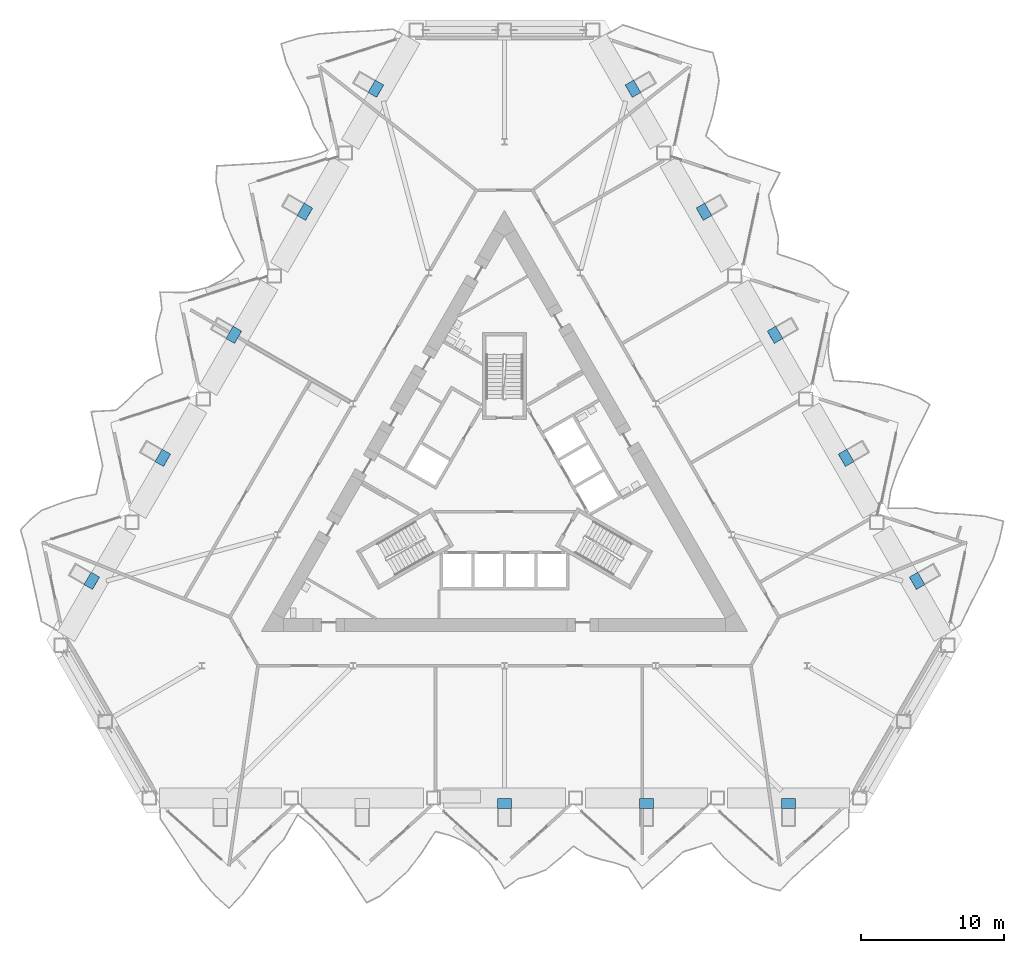
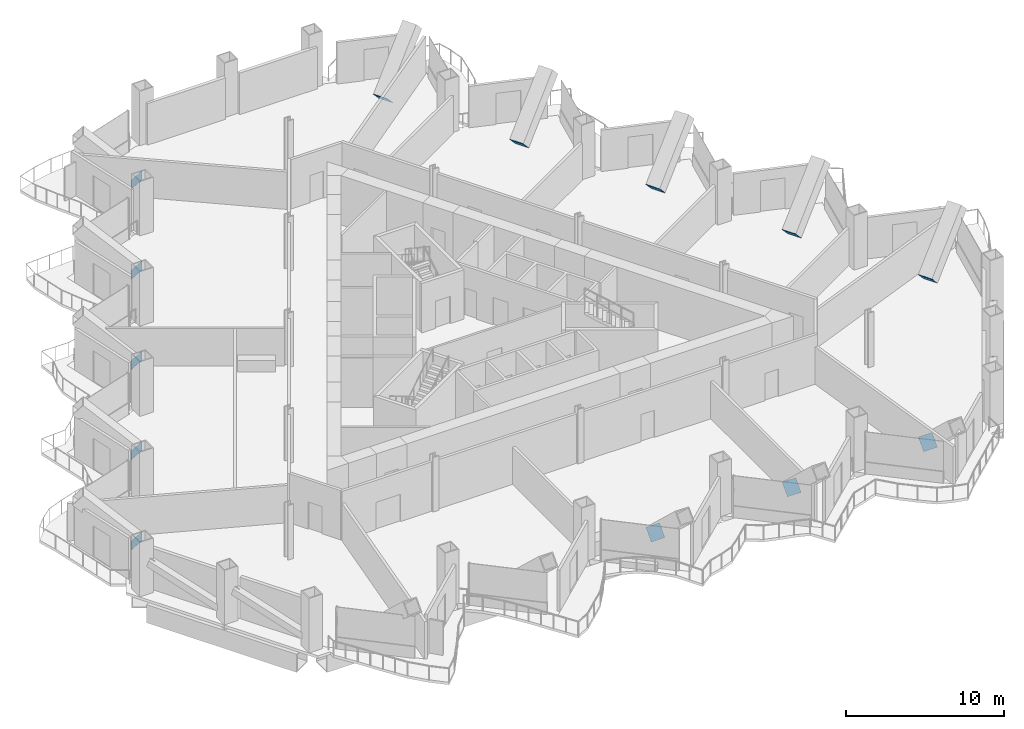
# One storey, part 13 of 22: 13 discrete accessories.
"""IFC4 building model written with IfcOpenShell, lengths in metres."""

from ifc_helpers import new_model, si_unit, direction, frame, origin, place, context, subcontext, project, spatial, polyline, outline, extrude, material, layer, layer_set, type_object, element, save


model = new_model("IFC4")

# Units and contexts
model_context = context("Model", 3, precision=1e-05, world=origin(), true_north=direction((0.0, 1.0)))
body_context = subcontext(model_context, "Body", "Model", "MODEL_VIEW")
ifc_project = project(units=[si_unit("LENGTHUNIT", "METRE"), si_unit("AREAUNIT", "SQUARE_METRE"), si_unit("VOLUMEUNIT", "CUBIC_METRE"), si_unit("PLANEANGLEUNIT", "RADIAN"), si_unit("MASSUNIT", "GRAM", prefix="KILO")], contexts=[model_context])

# Site, building, storey
site_placement = place(None, origin())
site = spatial("IfcSite", under=ifc_project, at=site_placement, CompositionType="ELEMENT")
building_placement = place(site_placement, origin())
building = spatial("IfcBuilding", under=site, at=building_placement, Name="Cormorant Prow Tower", CompositionType="ELEMENT")
storey_placement = place(building_placement, frame((0.0, 0.0, 30.0)))
storey = spatial("IfcBuildingStorey", under=building, at=storey_placement, Name="L05", CompositionType="ELEMENT", Elevation=30.0)

# Discrete accessories
ifc_material = material(Name="Structural steel ASTM A572 Gr 50", Category="steel")
ifc_layer = layer(ifc_material, 0.008056640625)
ifc_layer_set = layer_set([ifc_layer], Name="Structural steel ASTM A572 Gr 50")
discrete_accessory_type = type_object("IfcDiscreteAccessoryType", Name="Column foot bearing plate 1000x1000x8", PredefinedType="BRACKET", material=ifc_layer_set)
for number, where, z_axis, x_axis, name in (
    (1, (0.5, -21.505615234375, 0.72900390625), (0.0, -0.728973578633, 0.684541833385), (-1.0, 0.0, 0.0), "Bearing plate under Perimeter column C2 at S05 L05"),
    (2, (10.43212890625, -21.505615234375, 0.72900390625), (0.0, -0.728973578633, 0.684541833385), (-1.0, 0.0, 0.0), "Bearing plate under Perimeter column C2 at S07 L05"),
    (3, (20.3642578125, -21.505615234375, 0.72900390625), (0.0, -0.728973578633, 0.684541833385), (-1.0, 0.0, 0.0), "Bearing plate under Perimeter column C2 at S09 L05"),
):
    element("IfcDiscreteAccessory", number, at=place(storey_placement, frame(where, z_axis=z_axis, x_axis=x_axis)), inside=storey, type_object=discrete_accessory_type, Name=name, PredefinedType="BRACKET", context=body_context, shape_type="SweptSolid", body=[
        extrude(outline(polyline([(0.0, 0.0), (1.0, 0.0), (1.0, 1.000041603176641), (0.0, 1.000041603176641), (0.0, 0.0)])), origin(), (0.0, 0.0, -1.0), 0.008056640625),
    ])
discrete_accessory_1_placement = place(storey_placement, frame((28.306640625, -6.01708984375, 0.72900390625), z_axis=(0.631325458703, 0.364469214777, 0.684536599952), x_axis=(0.499947756502, -0.866055563946, 3.0450737e-05)))
element("IfcDiscreteAccessory", 4, at=discrete_accessory_1_placement, inside=storey, type_object=discrete_accessory_type, Name="Bearing plate under Perimeter column C2 at ENE01 L05", PredefinedType="BRACKET", context=body_context, shape_type="SweptSolid", body=[
    extrude(outline(polyline([(0.0, 0.0), (1.0001606802235286, 0.0), (0.9998448283368083, 1.0000766275686854), (-0.00010441254005378738, 0.9999930793965507), (0.0, 0.0)])), origin(), (0.0, 0.0, -1.0), 0.008056640625),
])
discrete_accessory_2_placement = place(storey_placement, frame((23.340576171875, 2.584228515625, 0.72900390625), z_axis=(0.631325458703, 0.364469214777, 0.684536599952), x_axis=(0.499997289459, -0.866026968175, -3.0457175e-05)))
element("IfcDiscreteAccessory", 5, at=discrete_accessory_2_placement, inside=storey, type_object=discrete_accessory_type, Name="Bearing plate under Perimeter column C2 at ENE03 L05", PredefinedType="BRACKET", context=body_context, shape_type="SweptSolid", body=[
    extrude(outline(polyline([(0.0, 0.0), (0.9999492443671879, -1.1102230246251565e-16), (0.9999283836621559, 0.9999930846299914), (-0.0002322930703090596, 1.0000766504681025), (0.0, 0.0)])), origin(), (0.0, 0.0, -1.0), 0.008056640625),
])
discrete_accessory_3_placement = place(storey_placement, frame((18.37451171875, 11.185791015625, 0.72900390625), z_axis=(0.631329585544, 0.364522974681, 0.684504167516), x_axis=(0.50002537861, -0.866010750942, 0.0)))
element("IfcDiscreteAccessory", 6, at=discrete_accessory_3_placement, inside=storey, type_object=discrete_accessory_type, Name="Bearing plate under Perimeter column C2 at ENE05 L05", PredefinedType="BRACKET", context=body_context, shape_type="SweptSolid", body=[
    extrude(outline(polyline([(0.0, 0.0), (0.9999492453569568, 0.0), (0.9999283826724075, 0.9999930856196759), (-2.0862684549538546e-05, 0.9999930856196758), (0.0, 0.0)])), origin(), (0.0, 0.0, -1.0), 0.008056640625),
])
discrete_accessory_4_placement = place(storey_placement, frame((13.408203125, 19.787353515625, 0.72900390625), z_axis=(0.631238222331, 0.364470222536, 0.684616508385), x_axis=(0.50002537861, -0.866010750942, 0.0)))
element("IfcDiscreteAccessory", 7, at=discrete_accessory_4_placement, inside=storey, type_object=discrete_accessory_type, Name="Bearing plate under Perimeter column C2 at ENE07 L05", PredefinedType="BRACKET", context=body_context, shape_type="SweptSolid", body=[
    extrude(outline(polyline([(0.0, 0.0), (0.9999492453569568, -5.551115123125783e-17), (1.000050459180857, 1.0001378211215932), (0.0001012138239001037, 1.0001378211215932), (0.0, 0.0)])), origin(), (0.0, 0.0, -1.0), 0.008056640625),
])
discrete_accessory_5_placement = place(storey_placement, frame((8.442138671875, 28.388671875, 0.72900390625), z_axis=(0.631234092357, 0.364416468259, 0.684648930699), x_axis=(0.499997297589, -0.866026963481, -3.0457765e-05)))
element("IfcDiscreteAccessory", 8, at=discrete_accessory_5_placement, inside=storey, type_object=discrete_accessory_type, Name="Bearing plate under Perimeter column C2 at ENE09 L05", PredefinedType="BRACKET", context=body_context, shape_type="SweptSolid", body=[
    extrude(outline(polyline([(0.0, 0.0), (0.9999492443674743, 0.0), (1.0000504601704396, 1.000137820132097), (-0.00011021656116567342, 1.000221399683153), (0.0, 0.0)])), origin(), (0.0, 0.0, -1.0), 0.008056640625),
])
discrete_accessory_6_placement = place(storey_placement, frame((-8.942138671875, 27.522705078125, 0.72900390625), z_axis=(-0.631234092357, 0.364416468259, 0.684648930699), x_axis=(0.499997297589, 0.866026963481, 3.0457765e-05)))
element("IfcDiscreteAccessory", 9, at=discrete_accessory_6_placement, inside=storey, type_object=discrete_accessory_type, Name="Bearing plate under Perimeter column C2 at WNW01 L05", PredefinedType="BRACKET", context=body_context, shape_type="SweptSolid", body=[
    extrude(outline(polyline([(0.0, 0.0), (0.9999492443674743, 0.0), (1.0000594609286397, 1.000221399683153), (-0.0001012158029653966, 1.0001378201320967), (0.0, 0.0)])), origin(), (0.0, 0.0, -1.0), 0.008056640625),
])
discrete_accessory_7_placement = place(storey_placement, frame((-13.908203125, 18.92138671875, 0.72900390625), z_axis=(-0.631238222331, 0.364470222536, 0.684616508385), x_axis=(0.50002537861, 0.866010750942, 0.0)))
element("IfcDiscreteAccessory", 10, at=discrete_accessory_7_placement, inside=storey, type_object=discrete_accessory_type, Name="Bearing plate under Perimeter column C2 at WNW03 L05", PredefinedType="BRACKET", context=body_context, shape_type="SweptSolid", body=[
    extrude(outline(polyline([(0.0, 0.0), (0.9999492453569568, 5.551115123125783e-17), (0.9998480315330568, 1.0001378211215932), (-0.0001012138239001037, 1.0001378211215932), (0.0, 0.0)])), origin(), (0.0, 0.0, -1.0), 0.008056640625),
])
discrete_accessory_8_placement = place(storey_placement, frame((-18.87451171875, 10.31982421875, 0.72900390625), z_axis=(-0.631329585544, 0.364522974681, 0.684504167516), x_axis=(0.50002537861, 0.866010750942, 0.0)))
element("IfcDiscreteAccessory", 11, at=discrete_accessory_8_placement, inside=storey, type_object=discrete_accessory_type, Name="Bearing plate under Perimeter column C2 at WNW05 L05", PredefinedType="BRACKET", context=body_context, shape_type="SweptSolid", body=[
    extrude(outline(polyline([(0.0, 0.0), (0.9999492453569568, 0.0), (0.9999701080415063, 0.9999930856196758), (2.0862684549538546e-05, 0.9999930856196758), (0.0, 0.0)])), origin(), (0.0, 0.0, -1.0), 0.008056640625),
])
discrete_accessory_9_placement = place(storey_placement, frame((-23.840576171875, 1.71826171875, 0.72900390625), z_axis=(-0.631325458703, 0.364469214777, 0.684536599952), x_axis=(0.499997289459, 0.866026968175, 3.0457175e-05)))
element("IfcDiscreteAccessory", 12, at=discrete_accessory_9_placement, inside=storey, type_object=discrete_accessory_type, Name="Bearing plate under Perimeter column C2 at WNW07 L05", PredefinedType="BRACKET", context=body_context, shape_type="SweptSolid", body=[
    extrude(outline(polyline([(0.0, 0.0), (0.9999492443671879, 1.1102230246251565e-16), (1.0001815374374972, 1.0000766504681025), (2.086070503207288e-05, 0.9999930846299916), (0.0, 0.0)])), origin(), (0.0, 0.0, -1.0), 0.008056640625),
])
discrete_accessory_10_placement = place(storey_placement, frame((-28.806640625, -6.88330078125, 0.72900390625), z_axis=(-0.631325458703, 0.364469214777, 0.684536599952), x_axis=(0.499947756502, 0.866055563946, -3.0450737e-05)))
element("IfcDiscreteAccessory", 13, at=discrete_accessory_10_placement, inside=storey, type_object=discrete_accessory_type, Name="Bearing plate under Perimeter column C2 at WNW09 L05", PredefinedType="BRACKET", context=body_context, shape_type="SweptSolid", body=[
    extrude(outline(polyline([(0.0, 0.0), (1.0001606802235286, 0.0), (1.0002650927635823, 0.9999930793965506), (0.0003158518867202406, 1.0000766275686854), (0.0, 0.0)])), origin(), (0.0, 0.0, -1.0), 0.008056640625),
])

save(model, "model.ifc")
